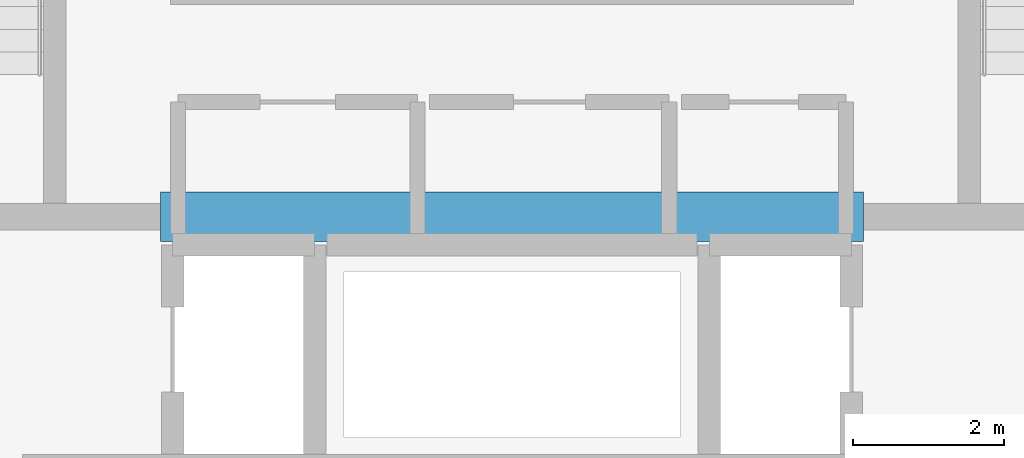
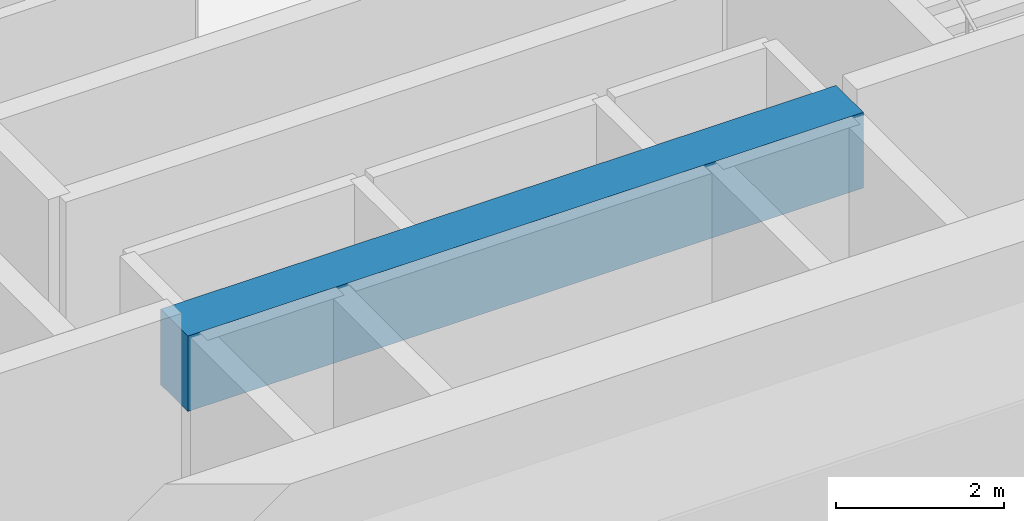
# One storey, part 8 of 35: 1 beam.
"""IFC4 building model written with IfcOpenShell, lengths in metres."""

from ifc_helpers import new_model, si_unit, direction, frame, origin, origin_2d, place, context, subcontext, project, spatial, rectangle, extrude, material, material_profile, profile_set, type_object, element, save


model = new_model("IFC4")

# Units and contexts
model_context = context("Model", 3, precision=1e-05, world=origin(), true_north=direction((0.0, 1.0)))
body_context = subcontext(model_context, "Body", "Model", "MODEL_VIEW")
ifc_project = project(units=[si_unit("LENGTHUNIT", "METRE"), si_unit("AREAUNIT", "SQUARE_METRE"), si_unit("VOLUMEUNIT", "CUBIC_METRE"), si_unit("PLANEANGLEUNIT", "RADIAN"), si_unit("MASSUNIT", "GRAM", prefix="KILO")], contexts=[model_context])

# Site, building, storey
site_placement = place(None, origin())
site = spatial("IfcSite", under=ifc_project, at=site_placement, CompositionType="ELEMENT")
building_placement = place(site_placement, origin())
building = spatial("IfcBuilding", under=site, at=building_placement, Name="Punatoya Terracotta Tower", CompositionType="ELEMENT")
storey_placement = place(building_placement, frame((0.0, 0.0, 113.25)))
storey = spatial("IfcBuildingStorey", under=building, at=storey_placement, Name="L26", CompositionType="ELEMENT", Elevation=113.25)

# Beam
ifc_material = material(Name="Concrete C60/75", Category="concrete")
ifc_material_profile = material_profile(ifc_material, rectangle(XDim=0.64990234375, YDim=1.10009765625, at=origin_2d()))
ifc_profile_set = profile_set([ifc_material_profile], Name="Concrete C60/75")
beam_type = type_object("IfcBeamType", Name="BM-RC-1100", PredefinedType="LINTEL", material=ifc_profile_set)
beam_placement = place(storey_placement, frame((-4.64990234375, -5.679931640625, 3.260009765625), z_axis=(1.0, 0.0, 0.0), x_axis=(0.0, 1.0, 0.0)))
element("IfcBeam", 1, at=beam_placement, inside=storey, type_object=beam_type, Name="L26 Core Coupling Lintel CSW", PredefinedType="LINTEL", context=body_context, shape_type="SweptSolid", body=[
    extrude(rectangle(XDim=0.64990234375, YDim=1.10009765625, at=origin_2d()), origin(), (0.0, 0.0, 1.0), 9.2998046875),
])

save(model, "model.ifc")
